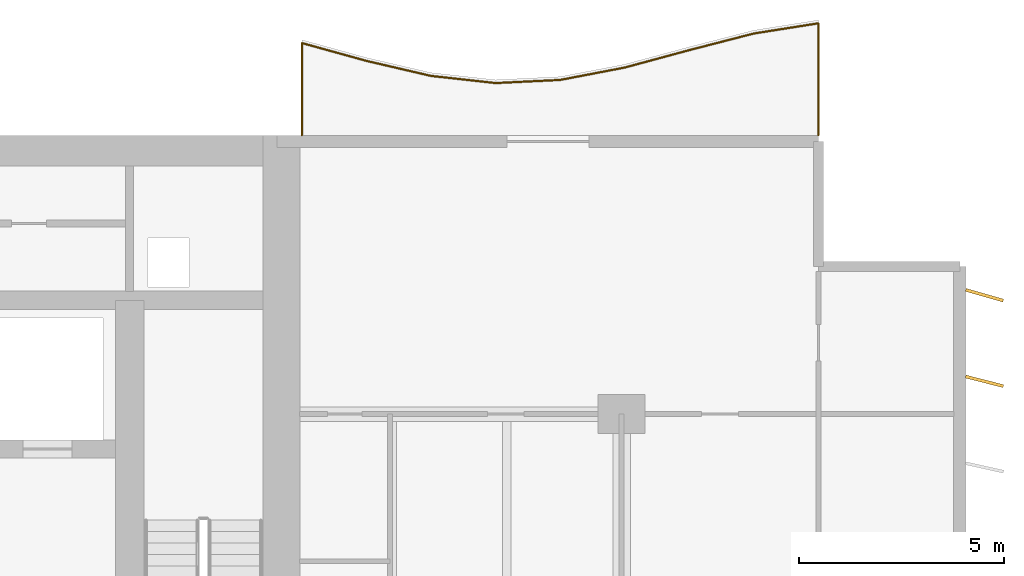
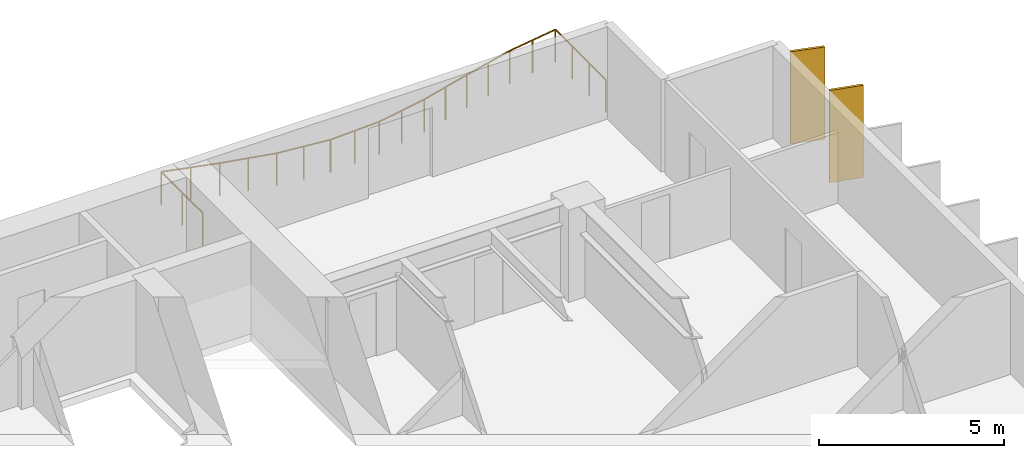
# One storey, part 18 of 18: 2 shading devices, 1 railing.
"""IFC4 building model written with IfcOpenShell, lengths in metres."""

from ifc_helpers import new_model, si_unit, direction, frame, origin, origin_2d, place, context, subcontext, project, spatial, rectangle, circle, extrude, material, material_profile, profile_set, type_object, element, save


model = new_model("IFC4")

# Units and contexts
model_context = context("Model", 3, precision=1e-05, world=origin(), true_north=direction((0.0, 1.0)))
body_context = subcontext(model_context, "Body", "Model", "MODEL_VIEW")
ifc_project = project(units=[si_unit("LENGTHUNIT", "METRE"), si_unit("AREAUNIT", "SQUARE_METRE"), si_unit("VOLUMEUNIT", "CUBIC_METRE"), si_unit("PLANEANGLEUNIT", "RADIAN"), si_unit("MASSUNIT", "GRAM", prefix="KILO")], contexts=[model_context])

# Site, building, storey
site_placement = place(None, origin())
site = spatial("IfcSite", under=ifc_project, at=site_placement, CompositionType="ELEMENT")
building_placement = place(site_placement, origin())
building = spatial("IfcBuilding", under=site, at=building_placement, Name="Caelmar Bay Residences", CompositionType="ELEMENT")
storey_placement = place(building_placement, frame((0.0, 0.0, 36.60009765625)))
storey = spatial("IfcBuildingStorey", under=building, at=storey_placement, Name="L08", CompositionType="ELEMENT", Elevation=36.60009765625)

# Railing
ifc_material_1 = material(Name="Anodised bronze handrail with laminated hurricane glass infill", Category="glass")
railing_type = type_object("IfcRailingType", Name="RL-BAL-1100", PredefinedType="BALUSTRADE", material=ifc_material_1)
railing_placement = place(storey_placement, frame((72.699951171875, 50.60009765625, 0.0)))
element("IfcRailing", 1, at=railing_placement, inside=storey, type_object=railing_type, Name="L08 north_east Balcony Balustrade", PredefinedType="BALUSTRADE", context=body_context, shape_type="SweptSolid", body=[
    extrude(circle(Radius=0.02392578125, at=origin_2d()), frame((0.0, 0.0, 1.076171875), z_axis=(0.0, 1.0, 0.0), x_axis=(-1.0, 0.0, 0.0)), (0.0, 0.0, 1.0), 2.733154296875),
    extrude(circle(Radius=0.02392578125, at=origin_2d()), frame((0.0, 2.733154296875, 1.076171875), z_axis=(-0.98772942327, -0.156174858431, 0.0), x_axis=(0.156174858431, -0.98772942327, 0.0)), (0.0, 0.0, 1.0), 1.594482421875),
    extrude(circle(Radius=0.02392578125, at=origin_2d()), frame((-1.574951171875, 2.484130859375, 1.076171875), z_axis=(-0.968414261795, -0.249346781715, 0.0), x_axis=(0.249346781715, -0.968414261795, 0.0)), (0.0, 0.0, 1.0), 1.626220703125),
    extrude(circle(Radius=0.02392578125, at=origin_2d()), frame((-3.14990234375, 2.07861328125, 1.076171875), z_axis=(-0.965420419953, -0.260697933895, 0.0), x_axis=(0.260697933895, -0.965420419953, 0.0)), (0.0, 0.0, 1.0), 1.63134765625),
    extrude(circle(Radius=0.02392578125, at=origin_2d()), frame((-4.724853515625, 1.6533203125, 1.076171875), z_axis=(-0.982140830907, -0.18814725155, 0.0), x_axis=(0.18814725155, -0.982140830907, 0.0)), (0.0, 0.0, 1.0), 1.603759765625),
    extrude(circle(Radius=0.02392578125, at=origin_2d()), frame((-6.300048828125, 1.3515625, 1.076171875), z_axis=(-0.998824997948, -0.048462598722, 0.0), x_axis=(0.048462598722, -0.998824997948, 0.0)), (0.0, 0.0, 1.0), 1.576904296875),
    extrude(circle(Radius=0.02392578125, at=origin_2d()), frame((-7.875, 1.275146484375, 1.076171875), z_axis=(-0.993913760533, 0.110160957802, 0.0), x_axis=(-0.110160957802, -0.993913760533, 0.0)), (0.0, 0.0, 1.0), 1.584716796875),
    extrude(circle(Radius=0.02392578125, at=origin_2d()), frame((-9.449951171875, 1.44970703125, 1.076171875), z_axis=(-0.973949121844, 0.226766637887, 0.0), x_axis=(-0.226766637887, -0.973949121844, 0.0)), (0.0, 0.0, 1.0), 1.6171875),
    extrude(circle(Radius=0.02392578125, at=origin_2d()), frame((-11.02490234375, 1.81640625, 1.076171875), z_axis=(-0.963861744869, 0.266402959402, 0.0), x_axis=(-0.266402959402, -0.963861744869, 0.0)), (0.0, 0.0, 1.0), 1.634033203125),
    extrude(circle(Radius=0.02392578125, at=origin_2d()), frame((-12.599853515625, 2.251708984375, 1.076171875), z_axis=(0.0, -1.0, 0.0), x_axis=(1.0, 0.0, 0.0)), (0.0, 0.0, 1.0), 2.251708984375),
    extrude(circle(Radius=0.02099609375, at=origin_2d()), origin(), (0.0, 0.0, 1.0), 1.052001953125),
    extrude(circle(Radius=0.02099609375, at=origin_2d()), frame((0.0, 0.9111328125, 0.0)), (0.0, 0.0, 1.0), 1.052001953125),
    extrude(circle(Radius=0.02099609375, at=origin_2d()), frame((0.0, 1.822021484375, 0.0)), (0.0, 0.0, 1.0), 1.052001953125),
    extrude(circle(Radius=0.02099609375, at=origin_2d()), frame((0.0, 2.733154296875, 0.0)), (0.0, 0.0, 1.0), 1.052001953125),
    extrude(circle(Radius=0.02099609375, at=origin_2d()), frame((-0.78759765625, 2.608642578125, 0.0)), (0.0, 0.0, 1.0), 1.052001953125),
    extrude(circle(Radius=0.02099609375, at=origin_2d()), frame((-1.574951171875, 2.484130859375, 0.0)), (0.0, 0.0, 1.0), 1.052001953125),
    extrude(circle(Radius=0.02099609375, at=origin_2d()), frame((-2.3623046875, 2.28125, 0.0)), (0.0, 0.0, 1.0), 1.052001953125),
    extrude(circle(Radius=0.02099609375, at=origin_2d()), frame((-3.14990234375, 2.07861328125, 0.0)), (0.0, 0.0, 1.0), 1.052001953125),
    extrude(circle(Radius=0.02099609375, at=origin_2d()), frame((-3.9375, 1.865966796875, 0.0)), (0.0, 0.0, 1.0), 1.052001953125),
    extrude(circle(Radius=0.02099609375, at=origin_2d()), frame((-4.724853515625, 1.6533203125, 0.0)), (0.0, 0.0, 1.0), 1.052001953125),
    extrude(circle(Radius=0.02099609375, at=origin_2d()), frame((-5.512451171875, 1.50244140625, 0.0)), (0.0, 0.0, 1.0), 1.052001953125),
    extrude(circle(Radius=0.02099609375, at=origin_2d()), frame((-6.300048828125, 1.3515625, 0.0)), (0.0, 0.0, 1.0), 1.052001953125),
    extrude(circle(Radius=0.02099609375, at=origin_2d()), frame((-7.08740234375, 1.3134765625, 0.0)), (0.0, 0.0, 1.0), 1.052001953125),
    extrude(circle(Radius=0.02099609375, at=origin_2d()), frame((-7.875, 1.275146484375, 0.0)), (0.0, 0.0, 1.0), 1.052001953125),
    extrude(circle(Radius=0.02099609375, at=origin_2d()), frame((-8.66259765625, 1.3623046875, 0.0)), (0.0, 0.0, 1.0), 1.052001953125),
    extrude(circle(Radius=0.02099609375, at=origin_2d()), frame((-9.449951171875, 1.44970703125, 0.0)), (0.0, 0.0, 1.0), 1.052001953125),
    extrude(circle(Radius=0.02099609375, at=origin_2d()), frame((-10.2373046875, 1.633056640625, 0.0)), (0.0, 0.0, 1.0), 1.052001953125),
    extrude(circle(Radius=0.02099609375, at=origin_2d()), frame((-11.02490234375, 1.81640625, 0.0)), (0.0, 0.0, 1.0), 1.052001953125),
    extrude(circle(Radius=0.02099609375, at=origin_2d()), frame((-11.8125, 2.0341796875, 0.0)), (0.0, 0.0, 1.0), 1.052001953125),
    extrude(circle(Radius=0.02099609375, at=origin_2d()), frame((-12.599853515625, 2.251708984375, 0.0)), (0.0, 0.0, 1.0), 1.052001953125),
    extrude(circle(Radius=0.02099609375, at=origin_2d()), frame((-12.599853515625, 1.1259765625, 0.0)), (0.0, 0.0, 1.0), 1.052001953125),
    extrude(circle(Radius=0.02099609375, at=origin_2d()), frame((-12.599853515625, 0.0, 0.0)), (0.0, 0.0, 1.0), 1.052001953125),
])

# Shading devices
ifc_material_2 = material(Name="Anodised architectural bronze aluminium 6063-T6", Category="aluminium")
ifc_material_profile = material_profile(ifc_material_2, rectangle(XDim=0.074951171875, YDim=0.949951171875, at=origin_2d()), Name="BRONZE-FIN-75X950")
ifc_profile_set = profile_set([ifc_material_profile], Name="Anodised architectural bronze aluminium 6063-T6")
shading_device_type = type_object("IfcShadingDeviceType", Name="SHD-FIN-950", PredefinedType="USERDEFINED", material=ifc_profile_set)
for number, where, z_axis, x_axis, name in (
    (2, (76.75, 44.60009765625, 0.0), (0.0, 0.0, 1.0), (0.247337247968, 0.968929453452, 0.0), "L08 East Bronze Solar Fin 19"),
    (3, (76.75, 46.699951171875, 0.0), (0.0, 0.0, 1.0), (0.275637355817, 0.961261695938, 0.0), "L08 East Bronze Solar Fin 20"),
):
    element("IfcShadingDevice", number, at=place(storey_placement, frame(where, z_axis=z_axis, x_axis=x_axis)), inside=storey, type_object=shading_device_type, Name=name, ObjectType="FIN", PredefinedType="USERDEFINED", context=body_context, shape_type="SweptSolid", body=[
        extrude(rectangle(XDim=0.074951171875, YDim=0.949951171875, at=origin_2d()), origin(), (0.0, 0.0, 1.0), 3.0498046875),
    ])

save(model, "model.ifc")
